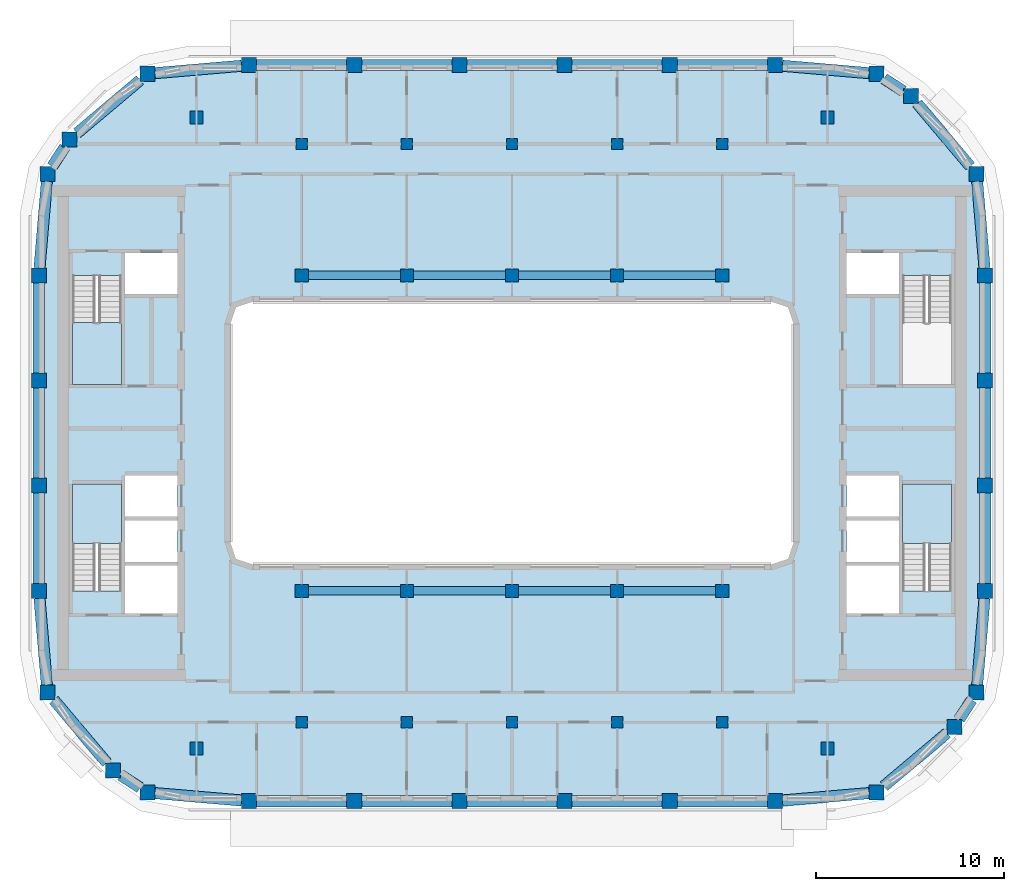
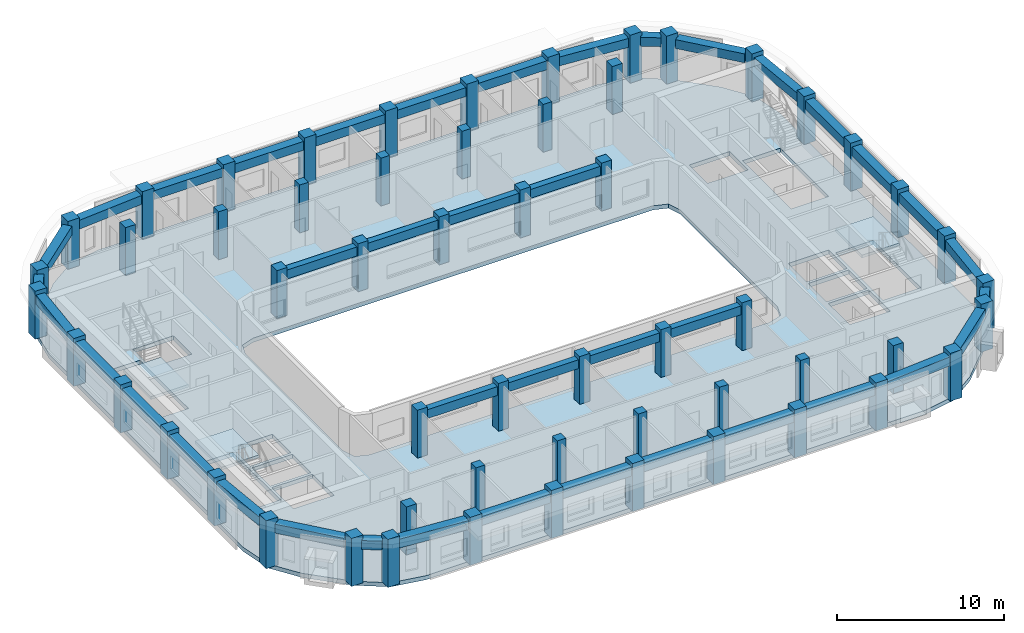
# One storey, part 1 of 15: 56 columns, 40 beams, 4 slabs, 3 elements without a shape of their own.
"""IFC4 building model written with IfcOpenShell, lengths in metres."""

from ifc_helpers import new_model, si_unit, direction, frame, origin, origin_2d, place, context, subcontext, project, spatial, polyline, rectangle, outline, extrude, material, layer, layer_set, material_profile, profile_set, type_object, element, aggregate, save


model = new_model("IFC4")

# Units and contexts
model_context = context("Model", 3, precision=1e-05, world=origin(), true_north=direction((0.0, 1.0)))
body_context = subcontext(model_context, "Body", "Model", "MODEL_VIEW")
ifc_project = project(units=[si_unit("LENGTHUNIT", "METRE"), si_unit("AREAUNIT", "SQUARE_METRE"), si_unit("VOLUMEUNIT", "CUBIC_METRE"), si_unit("PLANEANGLEUNIT", "RADIAN"), si_unit("MASSUNIT", "GRAM", prefix="KILO")], contexts=[model_context])

# Site, building, storey
site_placement = place(None, origin())
site = spatial("IfcSite", under=ifc_project, at=site_placement, CompositionType="ELEMENT")
building_placement = place(site_placement, origin())
building = spatial("IfcBuilding", under=site, at=building_placement, Name="Kiln Ring Residences", CompositionType="ELEMENT")
storey_placement = place(building_placement, frame((0.0, 0.0, 248.699951171875)))
storey = spatial("IfcBuildingStorey", under=building, at=storey_placement, Name="L64", CompositionType="ELEMENT", Elevation=248.699951171875)

# Columns
ifc_material_1 = material(Name="Concrete C60/75", Category="concrete")
ifc_material_profile_1 = material_profile(ifc_material_1, rectangle(XDim=0.60009765625, YDim=0.60009765625, at=origin_2d()), Name="RC600x600")
ifc_profile_set_1 = profile_set([ifc_material_profile_1], Name="Concrete C60/75")
column_type_1 = type_object("IfcColumnType", Name="Corridor column RC600x600 C60/75", PredefinedType="COLUMN", material=ifc_profile_set_1)
for number, where, z_axis, x_axis, name in (
    (1, (-11.199951171875, 15.39990234375, 0.0), (0.0, 0.0, 1.0), (1.0, 0.0, 0.0), "Corridor column L64 1"),
    (2, (-5.60009765625, 15.39990234375, 0.0), (0.0, 0.0, 1.0), (1.0, 0.0, 0.0), "Corridor column L64 2"),
    (3, (0.0, 15.39990234375, 0.0), (0.0, 0.0, 1.0), (1.0, 0.0, 0.0), "Corridor column L64 3"),
    (4, (5.60009765625, 15.39990234375, 0.0), (0.0, 0.0, 1.0), (1.0, 0.0, 0.0), "Corridor column L64 4"),
    (5, (11.199951171875, 15.39990234375, 0.0), (0.0, 0.0, 1.0), (1.0, 0.0, 0.0), "Corridor column L64 5"),
    (6, (-11.199951171875, -15.39990234375, 0.0), (0.0, 0.0, 1.0), (1.0, 0.0, 0.0), "Corridor column L64 6"),
    (7, (-5.60009765625, -15.39990234375, 0.0), (0.0, 0.0, 1.0), (1.0, 0.0, 0.0), "Corridor column L64 7"),
    (8, (0.0, -15.39990234375, 0.0), (0.0, 0.0, 1.0), (1.0, 0.0, 0.0), "Corridor column L64 8"),
    (9, (5.60009765625, -15.39990234375, 0.0), (0.0, 0.0, 1.0), (1.0, 0.0, 0.0), "Corridor column L64 9"),
    (10, (11.199951171875, -15.39990234375, 0.0), (0.0, 0.0, 1.0), (1.0, 0.0, 0.0), "Corridor column L64 10"),
):
    element("IfcColumn", number, at=place(storey_placement, frame(where, z_axis=z_axis, x_axis=x_axis)), inside=storey, type_object=column_type_1, Name=name, PredefinedType="COLUMN", context=body_context, shape_type="SweptSolid", body=[
        extrude(rectangle(XDim=0.60009765625, YDim=0.60009765625, at=origin_2d()), origin(), (0.0, 0.0, 1.0), 3.5),
    ])
ifc_material_2 = material(Name="Concrete C60/75", Category="concrete")
ifc_material_profile_2 = material_profile(ifc_material_2, rectangle(XDim=0.800048828125, YDim=0.800048828125, at=origin_2d()), Name="RC800x800")
ifc_profile_set_2 = profile_set([ifc_material_profile_2], Name="Concrete C60/75")
column_type_2 = type_object("IfcColumnType", Name="Perimeter column RC800x800 C60/75", PredefinedType="COLUMN", material=ifc_profile_set_2)
for number, where, z_axis, x_axis, name in (
    (11, (-19.40869140625, -19.13818359375, 0.0), (0.0, 0.0, 1.0), (1.0, 0.0, 0.0), "Perimeter column L64 1"),
    (12, (-14.0, -19.60009765625, 0.0), (0.0, 0.0, 1.0), (1.0, 0.0, 0.0), "Perimeter column L64 2"),
    (13, (-8.39990234375, -19.60009765625, 0.0), (0.0, 0.0, 1.0), (1.0, 0.0, 0.0), "Perimeter column L64 3"),
    (14, (-2.800048828125, -19.60009765625, 0.0), (0.0, 0.0, 1.0), (1.0, 0.0, 0.0), "Perimeter column L64 4"),
    (15, (2.800048828125, -19.60009765625, 0.0), (0.0, 0.0, 1.0), (1.0, 0.0, 0.0), "Perimeter column L64 5"),
    (16, (8.39990234375, -19.60009765625, 0.0), (0.0, 0.0, 1.0), (1.0, 0.0, 0.0), "Perimeter column L64 6"),
    (17, (14.0, -19.60009765625, 0.0), (0.0, 0.0, 1.0), (1.0, 0.0, 0.0), "Perimeter column L64 7"),
    (18, (19.40869140625, -19.13818359375, 0.0), (0.0, 0.0, 1.0), (1.0, 0.0, 0.0), "Perimeter column L64 8"),
    (19, (23.559814453125, -15.64013671875, 0.0), (0.0, 0.0, 1.0), (1.0, 0.0, 0.0), "Perimeter column L64 9"),
    (20, (24.738037109375, -13.80859375, 0.0), (0.0, 0.0, 1.0), (1.0, 0.0, 0.0), "Perimeter column L64 10"),
    (21, (25.199951171875, -8.39990234375, 0.0), (0.0, 0.0, 1.0), (1.0, 0.0, 0.0), "Perimeter column L64 11"),
    (22, (25.199951171875, -2.800048828125, 0.0), (0.0, 0.0, 1.0), (1.0, 0.0, 0.0), "Perimeter column L64 12"),
    (23, (25.199951171875, 2.800048828125, 0.0), (0.0, 0.0, 1.0), (1.0, 0.0, 0.0), "Perimeter column L64 13"),
    (24, (25.199951171875, 8.39990234375, 0.0), (0.0, 0.0, 1.0), (1.0, 0.0, 0.0), "Perimeter column L64 14"),
    (25, (24.738037109375, 13.80859375, 0.0), (0.0, 0.0, 1.0), (1.0, 0.0, 0.0), "Perimeter column L64 15"),
    (26, (21.240234375, 17.959716796875, 0.0), (0.0, 0.0, 1.0), (1.0, 0.0, 0.0), "Perimeter column L64 16"),
    (27, (19.40869140625, 19.13818359375, 0.0), (0.0, 0.0, 1.0), (1.0, 0.0, 0.0), "Perimeter column L64 17"),
    (28, (14.0, 19.60009765625, 0.0), (0.0, 0.0, 1.0), (1.0, 0.0, 0.0), "Perimeter column L64 18"),
    (29, (8.39990234375, 19.60009765625, 0.0), (0.0, 0.0, 1.0), (1.0, 0.0, 0.0), "Perimeter column L64 19"),
    (30, (2.800048828125, 19.60009765625, 0.0), (0.0, 0.0, 1.0), (1.0, 0.0, 0.0), "Perimeter column L64 20"),
    (31, (-2.800048828125, 19.60009765625, 0.0), (0.0, 0.0, 1.0), (1.0, 0.0, 0.0), "Perimeter column L64 21"),
    (32, (-8.39990234375, 19.60009765625, 0.0), (0.0, 0.0, 1.0), (1.0, 0.0, 0.0), "Perimeter column L64 22"),
    (33, (-14.0, 19.60009765625, 0.0), (0.0, 0.0, 1.0), (1.0, 0.0, 0.0), "Perimeter column L64 23"),
    (34, (-19.40869140625, 19.13818359375, 0.0), (0.0, 0.0, 1.0), (1.0, 0.0, 0.0), "Perimeter column L64 24"),
    (35, (-23.559814453125, 15.64013671875, 0.0), (0.0, 0.0, 1.0), (1.0, 0.0, 0.0), "Perimeter column L64 25"),
    (36, (-24.738037109375, 13.80859375, 0.0), (0.0, 0.0, 1.0), (1.0, 0.0, 0.0), "Perimeter column L64 26"),
    (37, (-25.199951171875, 8.39990234375, 0.0), (0.0, 0.0, 1.0), (1.0, 0.0, 0.0), "Perimeter column L64 27"),
    (38, (-25.199951171875, 2.800048828125, 0.0), (0.0, 0.0, 1.0), (1.0, 0.0, 0.0), "Perimeter column L64 28"),
    (39, (-25.199951171875, -2.800048828125, 0.0), (0.0, 0.0, 1.0), (1.0, 0.0, 0.0), "Perimeter column L64 29"),
    (40, (-25.199951171875, -8.39990234375, 0.0), (0.0, 0.0, 1.0), (1.0, 0.0, 0.0), "Perimeter column L64 30"),
    (41, (-24.738037109375, -13.80859375, 0.0), (0.0, 0.0, 1.0), (1.0, 0.0, 0.0), "Perimeter column L64 31"),
    (42, (-21.240234375, -17.959716796875, 0.0), (0.0, 0.0, 1.0), (1.0, 0.0, 0.0), "Perimeter column L64 32"),
):
    element("IfcColumn", number, at=place(storey_placement, frame(where, z_axis=z_axis, x_axis=x_axis)), inside=storey, type_object=column_type_2, Name=name, PredefinedType="COLUMN", context=body_context, shape_type="SweptSolid", body=[
        extrude(rectangle(XDim=0.800048828125, YDim=0.800048828125, at=origin_2d()), origin(), (0.0, 0.0, 1.0), 3.5),
    ])
ifc_material_3 = material(Name="Concrete C60/75", Category="concrete")
ifc_material_profile_3 = material_profile(ifc_material_3, rectangle(XDim=0.699951171875, YDim=0.699951171875, at=origin_2d()), Name="RC700x700")
ifc_profile_set_3 = profile_set([ifc_material_profile_3], Name="Concrete C60/75")
column_type_3 = type_object("IfcColumnType", Name="Ring column RC700x700 C60/75", PredefinedType="COLUMN", material=ifc_profile_set_3)
for number, where, z_axis, x_axis, name in (
    (43, (-16.800048828125, -16.800048828125, 0.0), (0.0, 0.0, 1.0), (1.0, 0.0, 0.0), "Ring column L64 1"),
    (44, (-16.800048828125, 16.800048828125, 0.0), (0.0, 0.0, 1.0), (1.0, 0.0, 0.0), "Ring column L64 2"),
    (45, (-11.199951171875, -8.39990234375, 0.0), (0.0, 0.0, 1.0), (1.0, 0.0, 0.0), "Ring column L64 3"),
    (46, (-11.199951171875, 8.39990234375, 0.0), (0.0, 0.0, 1.0), (1.0, 0.0, 0.0), "Ring column L64 4"),
    (47, (-5.60009765625, -8.39990234375, 0.0), (0.0, 0.0, 1.0), (1.0, 0.0, 0.0), "Ring column L64 5"),
    (48, (-5.60009765625, 8.39990234375, 0.0), (0.0, 0.0, 1.0), (1.0, 0.0, 0.0), "Ring column L64 6"),
    (49, (0.0, -8.39990234375, 0.0), (0.0, 0.0, 1.0), (1.0, 0.0, 0.0), "Ring column L64 7"),
    (50, (0.0, 8.39990234375, 0.0), (0.0, 0.0, 1.0), (1.0, 0.0, 0.0), "Ring column L64 8"),
    (51, (5.60009765625, -8.39990234375, 0.0), (0.0, 0.0, 1.0), (1.0, 0.0, 0.0), "Ring column L64 9"),
    (52, (5.60009765625, 8.39990234375, 0.0), (0.0, 0.0, 1.0), (1.0, 0.0, 0.0), "Ring column L64 10"),
    (53, (11.199951171875, -8.39990234375, 0.0), (0.0, 0.0, 1.0), (1.0, 0.0, 0.0), "Ring column L64 11"),
    (54, (11.199951171875, 8.39990234375, 0.0), (0.0, 0.0, 1.0), (1.0, 0.0, 0.0), "Ring column L64 12"),
    (55, (16.800048828125, -16.800048828125, 0.0), (0.0, 0.0, 1.0), (1.0, 0.0, 0.0), "Ring column L64 13"),
    (56, (16.800048828125, 16.800048828125, 0.0), (0.0, 0.0, 1.0), (1.0, 0.0, 0.0), "Ring column L64 14"),
):
    element("IfcColumn", number, at=place(storey_placement, frame(where, z_axis=z_axis, x_axis=x_axis)), inside=storey, type_object=column_type_3, Name=name, PredefinedType="COLUMN", context=body_context, shape_type="SweptSolid", body=[
        extrude(rectangle(XDim=0.699951171875, YDim=0.699951171875, at=origin_2d()), origin(), (0.0, 0.0, 1.0), 3.5),
    ])

# Beams
ifc_material_4 = material(Name="Concrete C50/60", Category="concrete")
ifc_material_profile_4 = material_profile(ifc_material_4, rectangle(XDim=0.449951171875, YDim=0.64990234375, at=origin_2d()), Name="RC450x650")
ifc_profile_set_4 = profile_set([ifc_material_profile_4], Name="Concrete C50/60")
beam_type_1 = type_object("IfcBeamType", Name="Ring beam RC450x650 C50/60", PredefinedType="BEAM", material=ifc_profile_set_4)
beam_1_placement = place(storey_placement, frame((-10.85009765625, -8.39990234375, 2.875), z_axis=(1.0, 0.0, 0.0), x_axis=(0.0, 1.0, 0.0)))
element("IfcBeam", 57, at=beam_1_placement, inside=storey, type_object=beam_type_1, Name="Ring beam L64 1", PredefinedType="BEAM", context=body_context, shape_type="SweptSolid", body=[
    extrude(rectangle(XDim=0.449951171875, YDim=0.64990234375, at=origin_2d()), origin(), (0.0, 0.0, 1.0), 4.900146484375),
])
for number, where, z_axis, x_axis, name in (
    (58, (-5.25, -8.39990234375, 2.875), (1.0, 0.0, 0.0), (0.0, 1.0, 0.0), "Ring beam L64 2"),
    (59, (0.35009765625, -8.39990234375, 2.875), (1.0, 0.0, 0.0), (0.0, 1.0, 0.0), "Ring beam L64 3"),
):
    element("IfcBeam", number, at=place(storey_placement, frame(where, z_axis=z_axis, x_axis=x_axis)), inside=storey, type_object=beam_type_1, Name=name, PredefinedType="BEAM", context=body_context, shape_type="SweptSolid", body=[
        extrude(rectangle(XDim=0.449951171875, YDim=0.64990234375, at=origin_2d()), origin(), (0.0, 0.0, 1.0), 4.89990234375),
    ])
for number, where, z_axis, x_axis, name in (
    (60, (5.949951171875, -8.39990234375, 2.875), (1.0, 0.0, 0.0), (0.0, 1.0, 0.0), "Ring beam L64 4"),
    (61, (-10.85009765625, 8.39990234375, 2.875), (1.0, 0.0, 0.0), (0.0, 1.0, 0.0), "Ring beam L64 5"),
):
    element("IfcBeam", number, at=place(storey_placement, frame(where, z_axis=z_axis, x_axis=x_axis)), inside=storey, type_object=beam_type_1, Name=name, PredefinedType="BEAM", context=body_context, shape_type="SweptSolid", body=[
        extrude(rectangle(XDim=0.449951171875, YDim=0.64990234375, at=origin_2d()), origin(), (0.0, 0.0, 1.0), 4.900146484375),
    ])
for number, where, z_axis, x_axis, name in (
    (62, (-5.25, 8.39990234375, 2.875), (1.0, 0.0, 0.0), (0.0, 1.0, 0.0), "Ring beam L64 6"),
    (63, (0.35009765625, 8.39990234375, 2.875), (1.0, 0.0, 0.0), (0.0, 1.0, 0.0), "Ring beam L64 7"),
):
    element("IfcBeam", number, at=place(storey_placement, frame(where, z_axis=z_axis, x_axis=x_axis)), inside=storey, type_object=beam_type_1, Name=name, PredefinedType="BEAM", context=body_context, shape_type="SweptSolid", body=[
        extrude(rectangle(XDim=0.449951171875, YDim=0.64990234375, at=origin_2d()), origin(), (0.0, 0.0, 1.0), 4.89990234375),
    ])
beam_2_placement = place(storey_placement, frame((5.949951171875, 8.39990234375, 2.875), z_axis=(1.0, 0.0, 0.0), x_axis=(0.0, 1.0, 0.0)))
element("IfcBeam", 64, at=beam_2_placement, inside=storey, type_object=beam_type_1, Name="Ring beam L64 8", PredefinedType="BEAM", context=body_context, shape_type="SweptSolid", body=[
    extrude(rectangle(XDim=0.449951171875, YDim=0.64990234375, at=origin_2d()), origin(), (0.0, 0.0, 1.0), 4.900146484375),
])
ifc_material_5 = material(Name="Concrete C50/60", Category="concrete")
ifc_material_profile_5 = material_profile(ifc_material_5, rectangle(XDim=0.60009765625, YDim=0.64990234375, at=origin_2d()), Name="RC600x650")
ifc_profile_set_5 = profile_set([ifc_material_profile_5], Name="Concrete C50/60")
beam_type_2 = type_object("IfcBeamType", Name="Spandrel beam RC600x650 C50/60", PredefinedType="SPANDREL", material=ifc_profile_set_5)
beam_3_placement = place(storey_placement, frame((-19.0087890625, -19.17236328125, 2.875), z_axis=(0.996374056639, -0.085080780766, 0.0), x_axis=(0.085080780766, 0.996374056639, 0.0)))
element("IfcBeam", 65, at=beam_3_placement, inside=storey, type_object=beam_type_2, Name="Spandrel beam L64 1", PredefinedType="SPANDREL", context=body_context, shape_type="SweptSolid", body=[
    extrude(rectangle(XDim=0.60009765625, YDim=0.64990234375, at=origin_2d()), origin(), (0.0, 0.0, 1.0), 4.625732421875),
])
for number, where, z_axis, x_axis, name in (
    (66, (-13.60009765625, -19.60009765625, 2.875), (1.0, 0.0, 0.0), (0.0, 1.0, 0.0), "Spandrel beam L64 2"),
    (67, (-8.0, -19.60009765625, 2.875), (1.0, 0.0, 0.0), (0.0, 1.0, 0.0), "Spandrel beam L64 3"),
):
    element("IfcBeam", number, at=place(storey_placement, frame(where, z_axis=z_axis, x_axis=x_axis)), inside=storey, type_object=beam_type_2, Name=name, PredefinedType="SPANDREL", context=body_context, shape_type="SweptSolid", body=[
        extrude(rectangle(XDim=0.60009765625, YDim=0.64990234375, at=origin_2d()), origin(), (0.0, 0.0, 1.0), 4.800048828125),
    ])
beam_4_placement = place(storey_placement, frame((-2.39990234375, -19.60009765625, 2.875), z_axis=(1.0, 0.0, 0.0), x_axis=(0.0, 1.0, 0.0)))
element("IfcBeam", 68, at=beam_4_placement, inside=storey, type_object=beam_type_2, Name="Spandrel beam L64 4", PredefinedType="SPANDREL", context=body_context, shape_type="SweptSolid", body=[
    extrude(rectangle(XDim=0.60009765625, YDim=0.64990234375, at=origin_2d()), origin(), (0.0, 0.0, 1.0), 4.7998046875),
])
for number, where, z_axis, x_axis, name in (
    (69, (3.199951171875, -19.60009765625, 2.875), (1.0, 0.0, 0.0), (0.0, 1.0, 0.0), "Spandrel beam L64 5"),
    (70, (8.800048828125, -19.60009765625, 2.875), (1.0, 0.0, 0.0), (0.0, 1.0, 0.0), "Spandrel beam L64 6"),
):
    element("IfcBeam", number, at=place(storey_placement, frame(where, z_axis=z_axis, x_axis=x_axis)), inside=storey, type_object=beam_type_2, Name=name, PredefinedType="SPANDREL", context=body_context, shape_type="SweptSolid", body=[
        extrude(rectangle(XDim=0.60009765625, YDim=0.64990234375, at=origin_2d()), origin(), (0.0, 0.0, 1.0), 4.800048828125),
    ])
beam_5_placement = place(storey_placement, frame((14.39990234375, -19.56591796875, 2.875), z_axis=(0.996374056639, 0.085080780766, 0.0), x_axis=(-0.085080780766, 0.996374056639, 0.0)))
element("IfcBeam", 71, at=beam_5_placement, inside=storey, type_object=beam_type_2, Name="Spandrel beam L64 7", PredefinedType="SPANDREL", context=body_context, shape_type="SweptSolid", body=[
    extrude(rectangle(XDim=0.60009765625, YDim=0.64990234375, at=origin_2d()), origin(), (0.0, 0.0, 1.0), 4.625732421875),
])
beam_6_placement = place(storey_placement, frame((19.80859375, -18.801025390625, 2.875), z_axis=(0.764734919154, 0.644345018936, 0.0), x_axis=(-0.644345018936, 0.764734919154, 0.0)))
element("IfcBeam", 72, at=beam_6_placement, inside=storey, type_object=beam_type_2, Name="Spandrel beam L64 8", PredefinedType="SPANDREL", context=body_context, shape_type="SweptSolid", body=[
    extrude(rectangle(XDim=0.60009765625, YDim=0.64990234375, at=origin_2d()), origin(), (0.0, 0.0, 1.0), 4.38232421875),
])
beam_7_placement = place(storey_placement, frame((23.817138671875, -15.240234375, 2.875), z_axis=(0.541029196589, 0.841003810002, 0.0), x_axis=(-0.841003810002, 0.541029196589, 0.0)))
element("IfcBeam", 73, at=beam_7_placement, inside=storey, type_object=beam_type_2, Name="Spandrel beam L64 9", PredefinedType="SPANDREL", context=body_context, shape_type="SweptSolid", body=[
    extrude(rectangle(XDim=0.60009765625, YDim=0.64990234375, at=origin_2d()), origin(), (0.0, 0.0, 1.0), 1.2265625),
])
beam_8_placement = place(storey_placement, frame((24.772216796875, -13.40869140625, 2.875), z_axis=(0.085085255251, 0.996373674551, 0.0), x_axis=(-0.996373674551, 0.085085255251, 0.0)))
element("IfcBeam", 74, at=beam_8_placement, inside=storey, type_object=beam_type_2, Name="Spandrel beam L64 10", PredefinedType="SPANDREL", context=body_context, shape_type="SweptSolid", body=[
    extrude(rectangle(XDim=0.60009765625, YDim=0.64990234375, at=origin_2d()), origin(), (0.0, 0.0, 1.0), 4.62548828125),
])
beam_9_placement = place(storey_placement, frame((25.199951171875, -8.0, 2.875), z_axis=(0.0, 1.0, 0.0), x_axis=(-1.0, 0.0, 0.0)))
element("IfcBeam", 75, at=beam_9_placement, inside=storey, type_object=beam_type_2, Name="Spandrel beam L64 11", PredefinedType="SPANDREL", context=body_context, shape_type="SweptSolid", body=[
    extrude(rectangle(XDim=0.60009765625, YDim=0.64990234375, at=origin_2d()), origin(), (0.0, 0.0, 1.0), 4.800048828125),
])
beam_10_placement = place(storey_placement, frame((25.199951171875, -2.39990234375, 2.875), z_axis=(0.0, 1.0, 0.0), x_axis=(-1.0, 0.0, 0.0)))
element("IfcBeam", 76, at=beam_10_placement, inside=storey, type_object=beam_type_2, Name="Spandrel beam L64 12", PredefinedType="SPANDREL", context=body_context, shape_type="SweptSolid", body=[
    extrude(rectangle(XDim=0.60009765625, YDim=0.64990234375, at=origin_2d()), origin(), (0.0, 0.0, 1.0), 4.7998046875),
])
beam_11_placement = place(storey_placement, frame((25.199951171875, 3.199951171875, 2.875), z_axis=(0.0, 1.0, 0.0), x_axis=(-1.0, 0.0, 0.0)))
element("IfcBeam", 77, at=beam_11_placement, inside=storey, type_object=beam_type_2, Name="Spandrel beam L64 13", PredefinedType="SPANDREL", context=body_context, shape_type="SweptSolid", body=[
    extrude(rectangle(XDim=0.60009765625, YDim=0.64990234375, at=origin_2d()), origin(), (0.0, 0.0, 1.0), 4.800048828125),
])
beam_12_placement = place(storey_placement, frame((25.165771484375, 8.800048828125, 2.875), z_axis=(-0.085085255251, 0.996373674551, 0.0), x_axis=(-0.996373674551, -0.085085255251, 0.0)))
element("IfcBeam", 78, at=beam_12_placement, inside=storey, type_object=beam_type_2, Name="Spandrel beam L64 14", PredefinedType="SPANDREL", context=body_context, shape_type="SweptSolid", body=[
    extrude(rectangle(XDim=0.60009765625, YDim=0.64990234375, at=origin_2d()), origin(), (0.0, 0.0, 1.0), 4.62548828125),
])
beam_13_placement = place(storey_placement, frame((24.401123046875, 14.208740234375, 2.875), z_axis=(-0.644405049218, 0.764684335227, 0.0), x_axis=(-0.764684335227, -0.644405049218, 0.0)))
element("IfcBeam", 79, at=beam_13_placement, inside=storey, type_object=beam_type_2, Name="Spandrel beam L64 15", PredefinedType="SPANDREL", context=body_context, shape_type="SweptSolid", body=[
    extrude(rectangle(XDim=0.60009765625, YDim=0.64990234375, at=origin_2d()), origin(), (0.0, 0.0, 1.0), 4.38232421875),
])
beam_14_placement = place(storey_placement, frame((20.840087890625, 18.217041015625, 2.875), z_axis=(-0.840913236818, 0.541169962345, 0.0), x_axis=(-0.541169962345, -0.840913236818, 0.0)))
element("IfcBeam", 80, at=beam_14_placement, inside=storey, type_object=beam_type_2, Name="Spandrel beam L64 16", PredefinedType="SPANDREL", context=body_context, shape_type="SweptSolid", body=[
    extrude(rectangle(XDim=0.60009765625, YDim=0.64990234375, at=origin_2d()), origin(), (0.0, 0.0, 1.0), 1.2265625),
])
beam_15_placement = place(storey_placement, frame((19.0087890625, 19.17236328125, 2.875), z_axis=(-0.996374056639, 0.085080780766, 0.0), x_axis=(-0.085080780766, -0.996374056639, 0.0)))
element("IfcBeam", 81, at=beam_15_placement, inside=storey, type_object=beam_type_2, Name="Spandrel beam L64 17", PredefinedType="SPANDREL", context=body_context, shape_type="SweptSolid", body=[
    extrude(rectangle(XDim=0.60009765625, YDim=0.64990234375, at=origin_2d()), origin(), (0.0, 0.0, 1.0), 4.625732421875),
])
for number, where, z_axis, x_axis, name in (
    (82, (13.60009765625, 19.60009765625, 2.875), (-1.0, 0.0, 0.0), (0.0, -1.0, 0.0), "Spandrel beam L64 18"),
    (83, (8.0, 19.60009765625, 2.875), (-1.0, 0.0, 0.0), (0.0, -1.0, 0.0), "Spandrel beam L64 19"),
):
    element("IfcBeam", number, at=place(storey_placement, frame(where, z_axis=z_axis, x_axis=x_axis)), inside=storey, type_object=beam_type_2, Name=name, PredefinedType="SPANDREL", context=body_context, shape_type="SweptSolid", body=[
        extrude(rectangle(XDim=0.60009765625, YDim=0.64990234375, at=origin_2d()), origin(), (0.0, 0.0, 1.0), 4.800048828125),
    ])
beam_16_placement = place(storey_placement, frame((2.39990234375, 19.60009765625, 2.875), z_axis=(-1.0, 0.0, 0.0), x_axis=(0.0, -1.0, 0.0)))
element("IfcBeam", 84, at=beam_16_placement, inside=storey, type_object=beam_type_2, Name="Spandrel beam L64 20", PredefinedType="SPANDREL", context=body_context, shape_type="SweptSolid", body=[
    extrude(rectangle(XDim=0.60009765625, YDim=0.64990234375, at=origin_2d()), origin(), (0.0, 0.0, 1.0), 4.7998046875),
])
for number, where, z_axis, x_axis, name in (
    (85, (-3.199951171875, 19.60009765625, 2.875), (-1.0, 0.0, 0.0), (0.0, -1.0, 0.0), "Spandrel beam L64 21"),
    (86, (-8.800048828125, 19.60009765625, 2.875), (-1.0, 0.0, 0.0), (0.0, -1.0, 0.0), "Spandrel beam L64 22"),
):
    element("IfcBeam", number, at=place(storey_placement, frame(where, z_axis=z_axis, x_axis=x_axis)), inside=storey, type_object=beam_type_2, Name=name, PredefinedType="SPANDREL", context=body_context, shape_type="SweptSolid", body=[
        extrude(rectangle(XDim=0.60009765625, YDim=0.64990234375, at=origin_2d()), origin(), (0.0, 0.0, 1.0), 4.800048828125),
    ])
beam_17_placement = place(storey_placement, frame((-14.39990234375, 19.56591796875, 2.875), z_axis=(-0.996374056639, -0.085080780766, 0.0), x_axis=(0.085080780766, -0.996374056639, 0.0)))
element("IfcBeam", 87, at=beam_17_placement, inside=storey, type_object=beam_type_2, Name="Spandrel beam L64 23", PredefinedType="SPANDREL", context=body_context, shape_type="SweptSolid", body=[
    extrude(rectangle(XDim=0.60009765625, YDim=0.64990234375, at=origin_2d()), origin(), (0.0, 0.0, 1.0), 4.625732421875),
])
beam_18_placement = place(storey_placement, frame((-19.80859375, 18.801025390625, 2.875), z_axis=(-0.764734919154, -0.644345018936, 0.0), x_axis=(0.644345018936, -0.764734919154, 0.0)))
element("IfcBeam", 88, at=beam_18_placement, inside=storey, type_object=beam_type_2, Name="Spandrel beam L64 24", PredefinedType="SPANDREL", context=body_context, shape_type="SweptSolid", body=[
    extrude(rectangle(XDim=0.60009765625, YDim=0.64990234375, at=origin_2d()), origin(), (0.0, 0.0, 1.0), 4.38232421875),
])
beam_19_placement = place(storey_placement, frame((-23.817138671875, 15.240234375, 2.875), z_axis=(-0.541029196589, -0.841003810002, 0.0), x_axis=(0.841003810002, -0.541029196589, 0.0)))
element("IfcBeam", 89, at=beam_19_placement, inside=storey, type_object=beam_type_2, Name="Spandrel beam L64 25", PredefinedType="SPANDREL", context=body_context, shape_type="SweptSolid", body=[
    extrude(rectangle(XDim=0.60009765625, YDim=0.64990234375, at=origin_2d()), origin(), (0.0, 0.0, 1.0), 1.2265625),
])
beam_20_placement = place(storey_placement, frame((-24.772216796875, 13.40869140625, 2.875), z_axis=(-0.085085255251, -0.996373674551, 0.0), x_axis=(0.996373674551, -0.085085255251, 0.0)))
element("IfcBeam", 90, at=beam_20_placement, inside=storey, type_object=beam_type_2, Name="Spandrel beam L64 26", PredefinedType="SPANDREL", context=body_context, shape_type="SweptSolid", body=[
    extrude(rectangle(XDim=0.60009765625, YDim=0.64990234375, at=origin_2d()), origin(), (0.0, 0.0, 1.0), 4.62548828125),
])
beam_21_placement = place(storey_placement, frame((-25.199951171875, 8.0, 2.875), z_axis=(0.0, -1.0, 0.0), x_axis=(1.0, 0.0, 0.0)))
element("IfcBeam", 91, at=beam_21_placement, inside=storey, type_object=beam_type_2, Name="Spandrel beam L64 27", PredefinedType="SPANDREL", context=body_context, shape_type="SweptSolid", body=[
    extrude(rectangle(XDim=0.60009765625, YDim=0.64990234375, at=origin_2d()), origin(), (0.0, 0.0, 1.0), 4.800048828125),
])
beam_22_placement = place(storey_placement, frame((-25.199951171875, 2.39990234375, 2.875), z_axis=(0.0, -1.0, 0.0), x_axis=(1.0, 0.0, 0.0)))
element("IfcBeam", 92, at=beam_22_placement, inside=storey, type_object=beam_type_2, Name="Spandrel beam L64 28", PredefinedType="SPANDREL", context=body_context, shape_type="SweptSolid", body=[
    extrude(rectangle(XDim=0.60009765625, YDim=0.64990234375, at=origin_2d()), origin(), (0.0, 0.0, 1.0), 4.7998046875),
])
beam_23_placement = place(storey_placement, frame((-25.199951171875, -3.199951171875, 2.875), z_axis=(0.0, -1.0, 0.0), x_axis=(1.0, 0.0, 0.0)))
element("IfcBeam", 93, at=beam_23_placement, inside=storey, type_object=beam_type_2, Name="Spandrel beam L64 29", PredefinedType="SPANDREL", context=body_context, shape_type="SweptSolid", body=[
    extrude(rectangle(XDim=0.60009765625, YDim=0.64990234375, at=origin_2d()), origin(), (0.0, 0.0, 1.0), 4.800048828125),
])
beam_24_placement = place(storey_placement, frame((-25.165771484375, -8.800048828125, 2.875), z_axis=(0.085085255251, -0.996373674551, 0.0), x_axis=(0.996373674551, 0.085085255251, 0.0)))
element("IfcBeam", 94, at=beam_24_placement, inside=storey, type_object=beam_type_2, Name="Spandrel beam L64 30", PredefinedType="SPANDREL", context=body_context, shape_type="SweptSolid", body=[
    extrude(rectangle(XDim=0.60009765625, YDim=0.64990234375, at=origin_2d()), origin(), (0.0, 0.0, 1.0), 4.62548828125),
])
beam_25_placement = place(storey_placement, frame((-24.401123046875, -14.208740234375, 2.875), z_axis=(0.644405049218, -0.764684335227, 0.0), x_axis=(0.764684335227, 0.644405049218, 0.0)))
element("IfcBeam", 95, at=beam_25_placement, inside=storey, type_object=beam_type_2, Name="Spandrel beam L64 31", PredefinedType="SPANDREL", context=body_context, shape_type="SweptSolid", body=[
    extrude(rectangle(XDim=0.60009765625, YDim=0.64990234375, at=origin_2d()), origin(), (0.0, 0.0, 1.0), 4.38232421875),
])
beam_26_placement = place(storey_placement, frame((-20.840087890625, -18.217041015625, 2.875), z_axis=(0.840913236818, -0.541169962345, 0.0), x_axis=(0.541169962345, 0.840913236818, 0.0)))
element("IfcBeam", 96, at=beam_26_placement, inside=storey, type_object=beam_type_2, Name="Spandrel beam L64 32", PredefinedType="SPANDREL", context=body_context, shape_type="SweptSolid", body=[
    extrude(rectangle(XDim=0.60009765625, YDim=0.64990234375, at=origin_2d()), origin(), (0.0, 0.0, 1.0), 1.2265625),
])

# Stair, slab
ifc_material_6 = material(Name="Concrete C40/50", Category="concrete")
stair_type = type_object("IfcStairType", Name="CORE-STAIR", PredefinedType="HALF_TURN_STAIR", material=ifc_material_6)
placement_1 = place(storey_placement, origin())
stair_1 = element("IfcStair", 97, at=placement_1, inside=storey, type_object=stair_type, Name="L64 stair W-STN", PredefinedType="HALF_TURN_STAIR")
ifc_material_7 = material(Name="Concrete C40/50", Category="concrete")
ifc_layer_1 = layer(ifc_material_7, 0.199951171875)
ifc_layer_set_1 = layer_set([ifc_layer_1], Name="CORE-STAIR-LANDING")
slab_type_1 = type_object("IfcSlabType", Name="CORE-STAIR-LANDING", PredefinedType="LANDING", material=ifc_layer_set_1)
placement_2 = place(storey_placement, frame((0.0, 0.0, 1.550048828125)))
slab_1 = element("IfcSlab", 98, at=placement_2, type_object=slab_type_1, Name="W-STN landing 1", PredefinedType="LANDING", context=body_context, shape_type="SweptSolid", body=[
    extrude(outline(polyline([(-23.39990234375, 5.8798828125), (-23.39990234375, 2.60009765625), (-20.800048828125, 2.60009765625), (-20.800048828125, 5.8798828125), (-23.39990234375, 5.8798828125)])), origin(), (0.0, 0.0, 1.0), 0.199951171875),
])
aggregate(stair_1, [slab_1])

stair_2 = element("IfcStair", 99, at=placement_1, inside=storey, type_object=stair_type, Name="L64 stair W-STS", PredefinedType="HALF_TURN_STAIR")
slab_2 = element("IfcSlab", 100, at=placement_2, type_object=slab_type_1, Name="W-STS landing 1", PredefinedType="LANDING", context=body_context, shape_type="SweptSolid", body=[
    extrude(outline(polyline([(-20.800048828125, -5.8798828125), (-20.800048828125, -2.699951171875), (-23.39990234375, -2.699951171875), (-23.39990234375, -5.8798828125), (-20.800048828125, -5.8798828125)])), origin(), (0.0, 0.0, 1.0), 0.199951171875),
])
aggregate(stair_2, [slab_2])

stair_3 = element("IfcStair", 101, at=placement_1, inside=storey, type_object=stair_type, Name="L64 stair E-STS", PredefinedType="HALF_TURN_STAIR")
slab_3 = element("IfcSlab", 102, at=placement_2, type_object=slab_type_1, Name="E-STS landing 1", PredefinedType="LANDING", context=body_context, shape_type="SweptSolid", body=[
    extrude(outline(polyline([(23.39990234375, -5.8798828125), (23.39990234375, -2.699951171875), (20.800048828125, -2.699951171875), (20.800048828125, -5.8798828125), (23.39990234375, -5.8798828125)])), origin(), (0.0, 0.0, 1.0), 0.199951171875),
])
aggregate(stair_3, [slab_3])

# Slab
ifc_material_8 = material(Name="Concrete C40/50", Category="concrete")
ifc_layer_2 = layer(ifc_material_8, 0.300048828125)
ifc_layer_set_2 = layer_set([ifc_layer_2], Name="Floor slab 300")
slab_type_2 = type_object("IfcSlabType", Name="Floor slab 300", PredefinedType="FLOOR", material=ifc_layer_set_2)
slab_4_placement = place(storey_placement, frame((0.0, 0.0, -0.300048828125)))
element("IfcSlab", 103, at=slab_4_placement, inside=storey, type_object=slab_type_2, Name="Floor slab L64 1", PredefinedType="FLOOR", context=body_context, shape_type="SweptSolid", body=[
    extrude(outline(polyline([(-23.5029296875, -15.697021484375), (-21.297119140625, -17.90283203125), (-19.42431640625, -19.17578125), (-17.199951171875, -19.60009765625), (17.199951171875, -19.60009765625), (19.42431640625, -19.17578125), (21.297119140625, -17.90283203125), (23.5029296875, -15.697021484375), (24.775634765625, -13.82421875), (25.199951171875, -11.60009765625), (25.199951171875, 11.60009765625), (24.775634765625, 13.82421875), (23.5029296875, 15.697021484375), (21.297119140625, 17.90283203125), (19.42431640625, 19.17578125), (17.199951171875, 19.60009765625), (-17.199951171875, 19.60009765625), (-19.42431640625, 19.17578125), (-21.297119140625, 17.90283203125), (-23.5029296875, 15.697021484375), (-24.775634765625, 13.82421875), (-25.199951171875, 11.60009765625), (-25.199951171875, -11.60009765625), (-24.775634765625, -13.82421875), (-23.5029296875, -15.697021484375)]), holes=[polyline([(-14.699951171875, -6.699951171875), (-15.0, -5.800048828125), (-15.0, 5.800048828125), (-14.699951171875, 6.699951171875), (-13.800048828125, 7.0), (13.800048828125, 7.0), (14.699951171875, 6.699951171875), (15.0, 5.800048828125), (15.0, -5.800048828125), (14.699951171875, -6.699951171875), (13.800048828125, -7.0), (-13.800048828125, -7.0), (-14.699951171875, -6.699951171875)]), polyline([(20.800048828125, -8.39794921875), (20.800048828125, -2.699951171875), (23.39990234375, -2.699951171875), (23.39990234375, -8.39794921875), (20.800048828125, -8.39794921875)]), polyline([(20.800048828125, 2.60009765625), (20.800048828125, 8.39794921875), (23.39990234375, 8.39794921875), (23.39990234375, 2.60009765625), (20.800048828125, 2.60009765625)]), polyline([(17.800048828125, -6.85009765625), (17.800048828125, -4.64990234375), (20.60009765625, -4.64990234375), (20.60009765625, -6.85009765625), (17.800048828125, -6.85009765625)]), polyline([(17.800048828125, 7.39990234375), (17.800048828125, 9.60009765625), (20.60009765625, 9.60009765625), (20.60009765625, 7.39990234375), (17.800048828125, 7.39990234375)]), polyline([(20.60009765625, -9.60009765625), (17.800048828125, -9.60009765625), (17.800048828125, -7.050048828125), (20.60009765625, -7.050048828125), (20.60009765625, -9.60009765625)]), polyline([(20.60009765625, -4.449951171875), (17.800048828125, -4.449951171875), (17.800048828125, -2.25), (20.60009765625, -2.25), (20.60009765625, -4.449951171875)]), polyline([(-17.800048828125, -7.050048828125), (-17.800048828125, -9.60009765625), (-20.60009765625, -9.60009765625), (-20.60009765625, -7.050048828125), (-17.800048828125, -7.050048828125)]), polyline([(-17.800048828125, -6.85009765625), (-20.60009765625, -6.85009765625), (-20.60009765625, -4.64990234375), (-17.800048828125, -4.64990234375), (-17.800048828125, -6.85009765625)]), polyline([(-17.800048828125, -2.25), (-17.800048828125, -4.449951171875), (-20.60009765625, -4.449951171875), (-20.60009765625, -2.25), (-17.800048828125, -2.25)]), polyline([(-17.800048828125, 7.39990234375), (-20.60009765625, 7.39990234375), (-20.60009765625, 9.60009765625), (-17.800048828125, 9.60009765625), (-17.800048828125, 7.39990234375)]), polyline([(-20.800048828125, -8.39794921875), (-23.39990234375, -8.39794921875), (-23.39990234375, -2.699951171875), (-20.800048828125, -2.699951171875), (-20.800048828125, -8.39794921875)]), polyline([(-20.800048828125, 2.60009765625), (-23.39990234375, 2.60009765625), (-23.39990234375, 8.39794921875), (-20.800048828125, 8.39794921875), (-20.800048828125, 2.60009765625)])]), origin(), (0.0, 0.0, 1.0), 0.300048828125),
])

save(model, "model.ifc")
